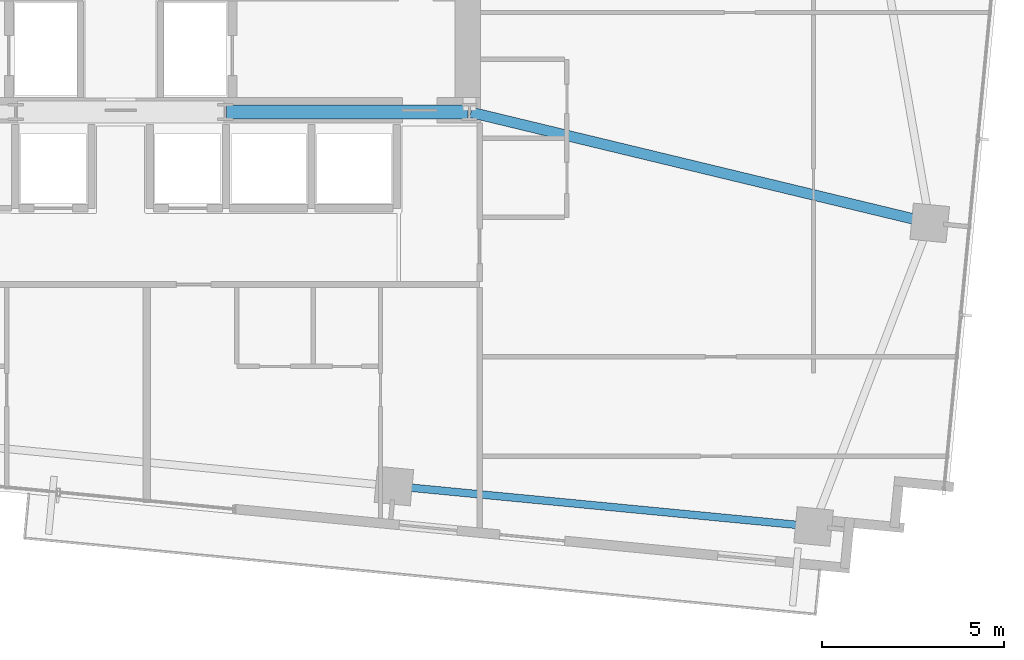
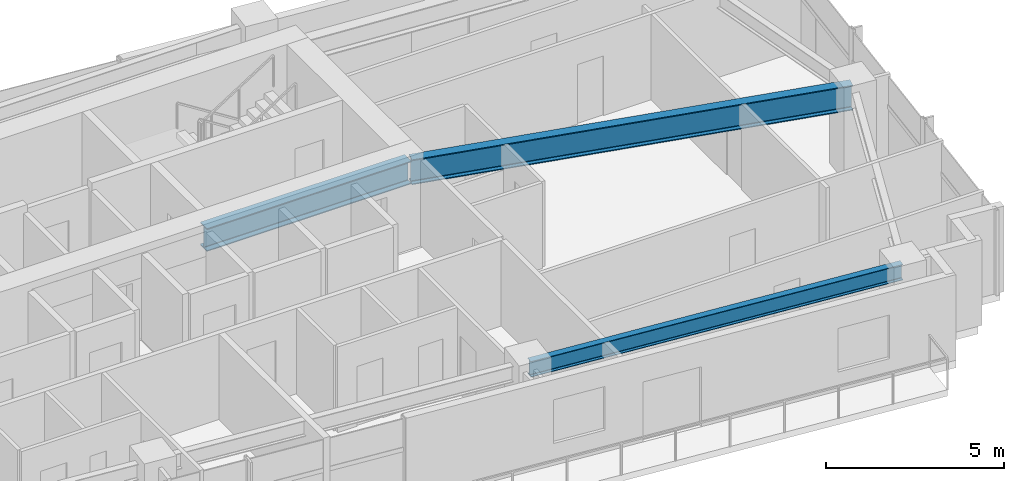
# One storey, part 10 of 20: 3 beams.
"""IFC4 building model written with IfcOpenShell, lengths in metres."""

from ifc_helpers import new_model, si_unit, direction, frame, origin, origin_2d, place, context, subcontext, project, spatial, i_section, extrude, source, transform, mapped, material, material_profile, profile_set, type_object, type_shapes, element, save


model = new_model("IFC4")

# Units and contexts
model_context = context("Model", 3, precision=1e-05, world=origin(), true_north=direction((0.0, 1.0)))
body_context = subcontext(model_context, "Body", "Model", "MODEL_VIEW")
ifc_project = project(units=[si_unit("LENGTHUNIT", "METRE"), si_unit("AREAUNIT", "SQUARE_METRE"), si_unit("VOLUMEUNIT", "CUBIC_METRE"), si_unit("PLANEANGLEUNIT", "RADIAN"), si_unit("MASSUNIT", "GRAM", prefix="KILO")], contexts=[model_context])

# Site, building, storey
site_placement = place(None, origin())
site = spatial("IfcSite", under=ifc_project, at=site_placement, CompositionType="ELEMENT")
building_placement = place(site_placement, origin())
building = spatial("IfcBuilding", under=site, at=building_placement, Name="Astriad Promenade Condominiums", CompositionType="ELEMENT")
storey_placement = place(building_placement, frame((0.0, 0.0, 134.199951171875)))
storey = spatial("IfcBuildingStorey", under=building, at=storey_placement, Name="L38", CompositionType="ELEMENT", Elevation=134.199951171875)

# Beams
ifc_material = material(Name="Steel ASTM A992 Grade 50", Category="steel")
ifc_material_profile_1 = material_profile(ifc_material, i_section(OverallWidth=0.3837890625, OverallDepth=0.785888671875, WebThickness=0.019775390625, FlangeThickness=0.033447265625, FilletRadius=0.021484375, at=origin_2d()), Name="W30X211")
ifc_profile_set_1 = profile_set([ifc_material_profile_1], Name="Steel ASTM A992 Grade 50")
beam_type_1 = type_object("IfcBeamType", Name="STEEL FLOOR GIRDER W30X211", PredefinedType="BEAM", material=ifc_profile_set_1)
shared_shape_1 = source(origin(), body_context, "Body", "SweptSolid", [
    extrude(i_section(OverallWidth=0.3837890625, OverallDepth=0.785888671875, WebThickness=0.019775390625, FlangeThickness=0.033447265625, FilletRadius=0.021484375, at=origin_2d()), origin(), (0.0, 0.0, 1.0), 6.64013671875),
])
type_shapes(beam_type_1, [shared_shape_1])
beam_1_placement = place(storey_placement, frame((38.919921875, 17.39990234375, 2.547119140625), z_axis=(1.0, 0.0, 0.0), x_axis=(0.0, 1.0, 0.0)))
element("IfcBeam", 1, at=beam_1_placement, inside=storey, type_object=beam_type_1, Name="Core Ring Beam CG-S3-L38", PredefinedType="BEAM", context=body_context, shape_type="MappedRepresentation", body=[
    mapped(shared_shape_1, transform((0.0, 0.0, 0.0), scale=1.0)),
])
ifc_material_profile_2 = material_profile(ifc_material, i_section(OverallWidth=0.210693359375, OverallDepth=0.53955078125, WebThickness=0.01171875, FlangeThickness=0.018798828125, FilletRadius=0.0166015625, at=origin_2d()), Name="W21X73")
ifc_profile_set_2 = profile_set([ifc_material_profile_2], Name="Steel ASTM A992 Grade 50")
beam_type_2 = type_object("IfcBeamType", Name="STEEL SPANDREL BEAM W21X73", PredefinedType="SPANDREL", material=ifc_profile_set_2)
shared_shape_2 = source(origin(), body_context, "Body", "SweptSolid", [
    extrude(i_section(OverallWidth=0.210693359375, OverallDepth=0.53955078125, WebThickness=0.01171875, FlangeThickness=0.018798828125, FilletRadius=0.0166015625, at=origin_2d()), origin(), (0.0, 0.0, 1.0), 11.519775390625),
])
type_shapes(beam_type_2, [shared_shape_2])
beam_2_placement = place(storey_placement, frame((43.560302734375, 7.10400390625, 2.670166015625), z_axis=(0.995397217389, -0.095835168988, 0.0), x_axis=(0.095835168988, 0.995397217389, 0.0)))
element("IfcBeam", 2, at=beam_2_placement, inside=storey, type_object=beam_type_2, Name="Perimeter Spandrel Beam SP-S4-L38", PredefinedType="SPANDREL", context=body_context, shape_type="MappedRepresentation", body=[
    mapped(shared_shape_2, transform((0.0, 0.0, 0.0), scale=1.0)),
])
ifc_material_profile_3 = material_profile(ifc_material, i_section(OverallWidth=0.2919921875, OverallDepth=0.85888671875, WebThickness=0.01708984375, FlangeThickness=0.031005859375, FilletRadius=0.02294921875, at=origin_2d()), Name="W33X169")
ifc_profile_set_3 = profile_set([ifc_material_profile_3], Name="Steel ASTM A992 Grade 50")
beam_type_3 = type_object("IfcBeamType", Name="STEEL PRIMARY GIRDER W33X169", PredefinedType="BEAM", material=ifc_profile_set_3)
shared_shape_3 = source(origin(), body_context, "Body", "SweptSolid", [
    extrude(i_section(OverallWidth=0.2919921875, OverallDepth=0.85888671875, WebThickness=0.01708984375, FlangeThickness=0.031005859375, FilletRadius=0.02294921875, at=origin_2d()), origin(), (0.0, 0.0, 1.0), 12.94482421875),
])
type_shapes(beam_type_3, [shared_shape_3])
beam_3_placement = place(storey_placement, frame((58.223388671875, 14.357666015625, 2.510498046875), z_axis=(-0.972164476402, 0.234299446908, 0.0), x_axis=(-0.234299446908, -0.972164476402, 0.0)))
element("IfcBeam", 3, at=beam_3_placement, inside=storey, type_object=beam_type_3, Name="Primary Floor Girder PG-EM-L38", PredefinedType="BEAM", context=body_context, shape_type="MappedRepresentation", body=[
    mapped(shared_shape_3, transform((0.0, 0.0, 0.0), scale=1.0)),
])

save(model, "model.ifc")
